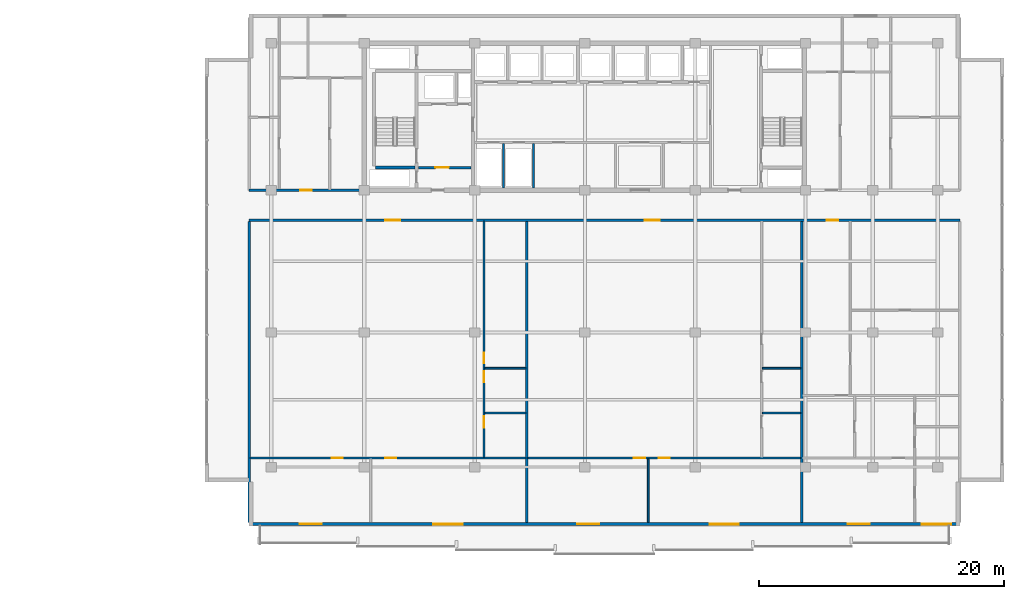
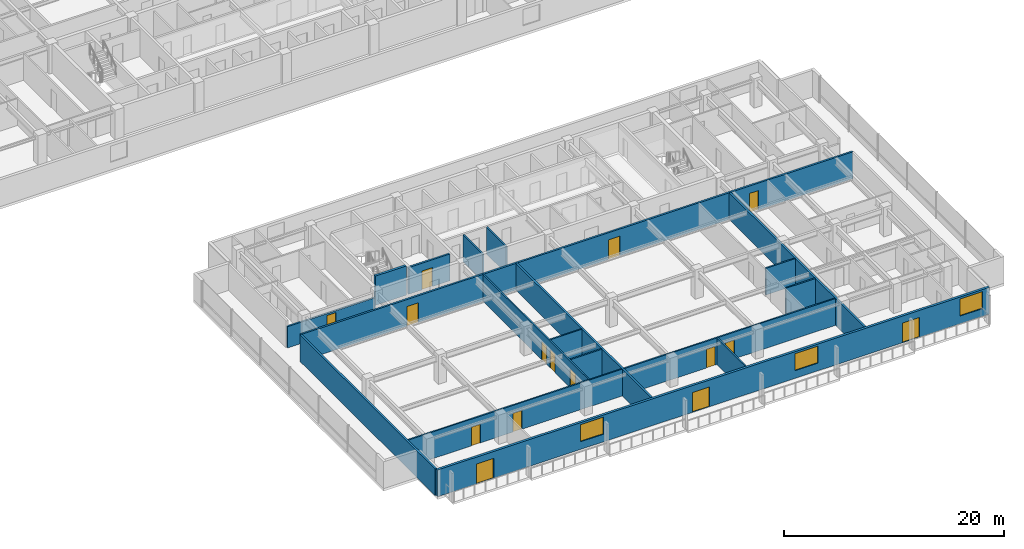
# One storey, part 21 of 38: 18 walls, 15 doors, 3 windows, 18 openings.
"""IFC4 building model written with IfcOpenShell, lengths in metres."""

import ifcopenshell
import ifcopenshell.guid

model = None  # the IFC model being written
_history = None  # IfcOwnerHistory: only IFC2X3 demands one
_inside = {}  # id of a spatial element -> (the spatial element, [elements in it])
_under = {}  # id of a project, library or spatial element -> (it, [spatial elements below it])
_declared = {}  # id of a project -> (the project, [libraries it declares])
_typed = {}  # id of a type object -> (the type object, [elements of that type])
_made_of = {}  # id of a material, layer set ... -> (it, [elements and type objects made of it])


def new_model(schema):
    """Start an empty IFC model of exactly this schema.

    Asked for "IFC4X3", IfcOpenShell would pick the latest addendum, in which some entities
    have other attributes; the version numbers below select the first issue.
    IFC2X3 requires an IfcOwnerHistory on every rooted entity: one is made here for all.
    """
    global model, _history
    if schema == "IFC4X3":
        model = ifcopenshell.file(schema_version=(4, 3, 0, 0))
    else:
        model = ifcopenshell.file(schema=schema)
    _inside.clear()
    _under.clear()
    _declared.clear()
    _typed.clear()
    _made_of.clear()
    _history = None
    if model.schema == "IFC2X3":
        org = make("IfcOrganization", Name="unknown")
        user = make(
            "IfcPersonAndOrganization",
            ThePerson=make("IfcPerson", FamilyName="unknown"),
            TheOrganization=org,
        )
        app = make(
            "IfcApplication",
            ApplicationDeveloper=org,
            Version="unknown",
            ApplicationFullName="unknown",
            ApplicationIdentifier="unknown",
        )
        _history = make(
            "IfcOwnerHistory",
            OwningUser=user,
            OwningApplication=app,
            ChangeAction="ADDED",
            CreationDate=0,
        )
    return model


def make(cls, **values):
    """One entity of the class cls with the attributes given. An attribute that is None is left unset."""
    return model.create_entity(
        cls, **{name: value for name, value in values.items() if value is not None}
    )


def rooted(cls, **values):
    """An entity with a GlobalId (a new one), such as an element, a storey or a relation."""
    return make(cls, GlobalId=ifcopenshell.guid.new(), OwnerHistory=_history, **values)


def si_unit(unit_type, name, prefix=None):
    """IfcSIUnit, for example si_unit("LENGTHUNIT", "METRE", prefix="MILLI")."""
    return make("IfcSIUnit", UnitType=unit_type, Prefix=prefix, Name=name)


def assignment(units):
    """IfcUnitAssignment: the units of a project."""
    return None if units is None else make("IfcUnitAssignment", Units=units)


def point(xyz):
    """IfcCartesianPoint."""
    return None if xyz is None else make("IfcCartesianPoint", Coordinates=xyz)


def direction(xyz):
    """IfcDirection."""
    return None if xyz is None else make("IfcDirection", DirectionRatios=xyz)


def frame(location, z_axis=None, x_axis=None):
    """IfcAxis2Placement3D, a coordinate frame: its origin and axes. An axis left out is left unset."""
    return make(
        "IfcAxis2Placement3D",
        Location=point(location),
        Axis=direction(z_axis),
        RefDirection=direction(x_axis),
    )


def frame_2d(location, x_axis=None):
    """IfcAxis2Placement2D, a coordinate frame in the plane: its origin and x axis."""
    return make(
        "IfcAxis2Placement2D", Location=point(location), RefDirection=direction(x_axis)
    )


def origin():
    """The frame at (0, 0, 0) with its axes left unset."""
    return frame((0.0, 0.0, 0.0))


def place(relative_to, where):
    """IfcLocalPlacement: puts the frame where relative to a parent placement (None: the world)."""
    return make(
        "IfcLocalPlacement", PlacementRelTo=relative_to, RelativePlacement=where
    )


def context(
    kind, dimensions, precision=None, world=None, true_north=None, identifier=None
):
    """IfcGeometricRepresentationContext, for example the 3D "Model" context."""
    return make(
        "IfcGeometricRepresentationContext",
        ContextIdentifier=identifier,
        ContextType=kind,
        CoordinateSpaceDimension=dimensions,
        Precision=precision,
        WorldCoordinateSystem=world,
        TrueNorth=true_north,
    )


def subcontext(parent, identifier, kind, view, scale=None):
    """IfcGeometricRepresentationSubContext, for example "Body" below "Model"."""
    return make(
        "IfcGeometricRepresentationSubContext",
        ContextIdentifier=identifier,
        ContextType=kind,
        ParentContext=parent,
        TargetScale=scale,
        TargetView=view,
    )


def project(units=None, contexts=None):
    """IfcProject with its units and contexts."""
    return rooted(
        "IfcProject",
        Name="project",
        RepresentationContexts=contexts,
        UnitsInContext=assignment(units),
    )


def spatial(cls, under=None, at=None, **own):
    """A site, building, storey or space (cls), placed at a placement, below another one or the project."""
    s = rooted(cls, ObjectPlacement=at, **own)
    if under is not None:
        _under.setdefault(under.id(), (under, []))[1].append(s)
    return s


def profile(cls, at=None, kind="AREA", **sizes):
    """A parametric profile (cls). Its sizes go by their IFC names, for example OverallWidth=200.0."""
    return make(cls, ProfileType=kind, Position=at, **sizes)


def rectangle(**sizes):
    """IfcRectangleProfileDef."""
    return profile("IfcRectangleProfileDef", **sizes)


def extrude(swept, where, along, depth):
    """IfcExtrudedAreaSolid: the profile swept, set in the frame where, extruded along a direction by depth."""
    return make(
        "IfcExtrudedAreaSolid",
        SweptArea=swept,
        Position=where,
        ExtrudedDirection=direction(along),
        Depth=depth,
    )


def shape(context_of_items, identifier, shape_type, items):
    """IfcShapeRepresentation: the items that make up one representation, for example the "Body"."""
    return make(
        "IfcShapeRepresentation",
        ContextOfItems=context_of_items,
        RepresentationIdentifier=identifier,
        RepresentationType=shape_type,
        Items=items,
    )


def material(Name=None, Category=None):
    """IfcMaterial."""
    return make("IfcMaterial", Name=Name, Category=Category)


def layer(
    of_material, thickness, ventilated=None, Name=None, Category=None, Priority=None
):
    """IfcMaterialLayer: one layer of a wall or slab, of a material (None: an air gap)."""
    return make(
        "IfcMaterialLayer",
        Material=of_material,
        LayerThickness=thickness,
        IsVentilated=ventilated,
        Name=Name,
        Category=Category,
        Priority=Priority,
    )


def layer_set(layers, Name=None):
    """IfcMaterialLayerSet."""
    return make("IfcMaterialLayerSet", MaterialLayers=layers, LayerSetName=Name)


def made_of(thing, what):
    """Note that an element or type object is made of a material, layer set ...; save() writes the relation."""
    if what is not None:
        _made_of.setdefault(what.id(), (what, []))[1].append(thing)
    return thing


def type_object(cls, material=None, **own):
    """A type object (cls), such as IfcWallType, which elements share."""
    return made_of(rooted(cls, **own), material)


def element(
    cls,
    number,
    at=None,
    inside=None,
    cuts=None,
    type_object=None,
    material=None,
    context=None,
    identifier="Body",
    shape_type=None,
    held_by="IfcProductDefinitionShape",
    body=None,
    shapes=None,
    **own,
):
    """One element of the class cls, such as IfcWall. Its Tag is "e" and its number.

    at: its placement. inside: the storey or other place that contains it. cuts: it is an
    opening in that element (IfcRelVoidsElement). A single representation is given by context,
    identifier, shape_type and body (its items); several are given by shapes. held_by: the class
    of the entity that holds the representations. save() writes the other relations.
    """
    e = rooted(cls, Tag="e%d" % number, ObjectPlacement=at, **own)
    if body is not None:
        shapes = [shape(context, identifier, shape_type, body)]
    if shapes is not None:
        e.Representation = make(held_by, Representations=shapes)
    if inside is not None:
        _inside.setdefault(inside.id(), (inside, []))[1].append(e)
    if cuts is not None:
        rooted(
            "IfcRelVoidsElement", RelatingBuildingElement=cuts, RelatedOpeningElement=e
        )
    if type_object is not None:
        _typed.setdefault(type_object.id(), (type_object, []))[1].append(e)
    return made_of(e, material)


def fill(opening, filler):
    """IfcRelFillsElement: the door or window that sits in an opening."""
    return rooted(
        "IfcRelFillsElement",
        RelatingOpeningElement=opening,
        RelatedBuildingElement=filler,
    )


def aggregate(whole, parts):
    """IfcRelAggregates: a whole, such as a stair, and the parts it consists of."""
    return rooted("IfcRelAggregates", RelatingObject=whole, RelatedObjects=parts)


def save(model, path):
    """Write the relations noted so far, then the file.

    IfcRelAggregates (storeys below a building ...), IfcRelContainedInSpatialStructure (elements
    in a storey), IfcRelDefinesByType, IfcRelAssociatesMaterial and IfcRelDeclares: one each for
    every whole, place, type object, material and project.
    """
    for whole, parts in _under.values():
        aggregate(whole, parts)
    for where, things in _inside.values():
        rooted(
            "IfcRelContainedInSpatialStructure",
            RelatedElements=things,
            RelatingStructure=where,
        )
    for kind, things in _typed.values():
        rooted("IfcRelDefinesByType", RelatedObjects=things, RelatingType=kind)
    for what, things in _made_of.values():
        rooted("IfcRelAssociatesMaterial", RelatedObjects=things, RelatingMaterial=what)
    for by, libraries in _declared.values():
        rooted("IfcRelDeclares", RelatingContext=by, RelatedDefinitions=libraries)
    model.write(path)


model = new_model("IFC4")

# Units and contexts
model_context = context("Model", 3, precision=1e-05, world=origin(), true_north=direction((0.0, 1.0)))
body_context = subcontext(model_context, "Body", "Model", "MODEL_VIEW")
ifc_project = project(units=[si_unit("LENGTHUNIT", "METRE"), si_unit("AREAUNIT", "SQUARE_METRE"), si_unit("VOLUMEUNIT", "CUBIC_METRE"), si_unit("PLANEANGLEUNIT", "RADIAN"), si_unit("MASSUNIT", "GRAM", prefix="KILO")], contexts=[model_context])

# Site, building, storey
site_placement = place(None, origin())
site = spatial("IfcSite", under=ifc_project, at=site_placement, CompositionType="ELEMENT")
building_placement = place(site_placement, origin())
building = spatial("IfcBuilding", under=site, at=building_placement, Name="Korimba Cascade Residences", CompositionType="ELEMENT")
storey_placement = place(building_placement, frame((0.0, 0.0, 93.800048828125)))
storey = spatial("IfcBuildingStorey", under=building, at=storey_placement, Name="L26", CompositionType="ELEMENT", Elevation=93.800048828125)

# Wall, openings, doors, windows
ifc_material_1 = material(Name="Precast concrete C40/50", Category="concrete")
ifc_layer_1 = layer(ifc_material_1, 0.25)
ifc_layer_set_1 = layer_set([ifc_layer_1], Name="Precast concrete C40/50")
wall_type_1 = type_object("IfcWallType", Name="EW-LOG-250", PredefinedType="STANDARD", material=ifc_layer_set_1)
wall_1_placement = place(storey_placement, frame((72.699951171875, -8.85009765625, 0.0), z_axis=(0.0, 0.0, 1.0), x_axis=(1.0, 0.0, 0.0)))
wall_1 = element("IfcWall", 1, at=wall_1_placement, inside=storey, type_object=wall_type_1, Name="L26 T2 Perimeter Stone Wall E00", PredefinedType="STANDARD", context=body_context, shape_type="SweptSolid", body=[
    extrude(rectangle(XDim=58.0, YDim=0.25, at=frame_2d((29.0, 0.0))), origin(), (0.0, 0.0, 1.0), 2.969970703125),
])
opening_1_placement = place(wall_1_placement, frame((4.1171875, 0.0, 0.0)))
opening_1 = element("IfcOpeningElement", 2, at=opening_1_placement, cuts=wall_1, Name="Opening D-LG1", PredefinedType="OPENING", context=body_context, shape_type="SweptSolid", body=[
    extrude(rectangle(XDim=1.800048828125, YDim=2.199951171875, at=frame_2d((0.89990234375, 1.10009765625))), frame((0.0, 0.135009765625, 0.0), z_axis=(0.0, -1.0, 0.0), x_axis=(1.0, 0.0, 0.0)), (0.0, 0.0, 1.0), 0.27001953125),
])
opening_2_placement = place(wall_1_placement, frame((15.03173828125, 0.0, 0.85009765625)))
opening_2 = element("IfcOpeningElement", 3, at=opening_2_placement, cuts=wall_1, Name="Opening W-01", PredefinedType="OPENING", context=body_context, shape_type="SweptSolid", body=[
    extrude(rectangle(XDim=2.39990234375, YDim=1.89990234375, at=frame_2d((1.199951171875, 0.949951171875))), frame((0.0, 0.135009765625, 0.0), z_axis=(0.0, -1.0, 0.0), x_axis=(1.0, 0.0, 0.0)), (0.0, 0.0, 1.0), 0.27001953125),
])
opening_3_placement = place(wall_1_placement, frame((26.78125, 0.0, 0.0)))
opening_3 = element("IfcOpeningElement", 4, at=opening_3_placement, cuts=wall_1, Name="Opening D-LG1", PredefinedType="OPENING", context=body_context, shape_type="SweptSolid", body=[
    extrude(rectangle(XDim=1.800048828125, YDim=2.199951171875, at=frame_2d((0.89990234375, 1.10009765625))), frame((0.0, 0.135009765625, 0.0), z_axis=(0.0, -1.0, 0.0), x_axis=(1.0, 0.0, 0.0)), (0.0, 0.0, 1.0), 0.27001953125),
])
opening_4_placement = place(wall_1_placement, frame((37.571044921875, 0.0, 0.85009765625)))
opening_4 = element("IfcOpeningElement", 5, at=opening_4_placement, cuts=wall_1, Name="Opening W-01", PredefinedType="OPENING", context=body_context, shape_type="SweptSolid", body=[
    extrude(rectangle(XDim=2.39990234375, YDim=1.89990234375, at=frame_2d((1.199951171875, 0.949951171875))), frame((0.0, 0.135009765625, 0.0), z_axis=(0.0, -1.0, 0.0), x_axis=(1.0, 0.0, 0.0)), (0.0, 0.0, 1.0), 0.27001953125),
])
opening_5_placement = place(wall_1_placement, frame((48.8642578125, 0.0, 0.0)))
opening_5 = element("IfcOpeningElement", 6, at=opening_5_placement, cuts=wall_1, Name="Opening D-LG1", PredefinedType="OPENING", context=body_context, shape_type="SweptSolid", body=[
    extrude(rectangle(XDim=1.800048828125, YDim=2.199951171875, at=frame_2d((0.89990234375, 1.10009765625))), frame((0.0, 0.135009765625, 0.0), z_axis=(0.0, -1.0, 0.0), x_axis=(1.0, 0.0, 0.0)), (0.0, 0.0, 1.0), 0.27001953125),
])
opening_6_placement = place(wall_1_placement, frame((54.89990234375, 0.0, 0.85009765625)))
opening_6 = element("IfcOpeningElement", 7, at=opening_6_placement, cuts=wall_1, Name="Opening W-01", PredefinedType="OPENING", context=body_context, shape_type="SweptSolid", body=[
    extrude(rectangle(XDim=2.39990234375, YDim=1.89990234375, at=frame_2d((1.199951171875, 0.949951171875))), frame((0.0, 0.135009765625, 0.0), z_axis=(0.0, -1.0, 0.0), x_axis=(1.0, 0.0, 0.0)), (0.0, 0.0, 1.0), 0.27001953125),
])
ifc_material_2 = material(Name="Glazed Aluminium Loggia Sliding Door", Category="aluminium")
door_type_1 = type_object("IfcDoorType", Name="DR-EXT-LOG", OperationType="NOTDEFINED", PredefinedType="DOOR", material=ifc_material_2)
door_1_placement = place(opening_1_placement, origin())
door_1 = element("IfcDoor", 8, at=door_1_placement, inside=storey, type_object=door_type_1, Name="L26 T2 Loggia Sliding Door 3", OperationType="SLIDING_TO_RIGHT", OverallHeight=2.199951171875, OverallWidth=1.800048828125, PredefinedType="DOOR", context=body_context, shape_type="SweptSolid", body=[
    extrude(rectangle(XDim=1.800048828125, YDim=2.199951171875, at=frame_2d((0.89990234375, 1.10009765625))), frame((0.0, 0.02490234375, 0.0), z_axis=(0.0, -1.0, 0.0), x_axis=(1.0, 0.0, 0.0)), (0.0, 0.0, 1.0), 0.050048828125),
])
fill(opening_1, door_1)
door_2_placement = place(opening_3_placement, origin())
door_2 = element("IfcDoor", 9, at=door_2_placement, inside=storey, type_object=door_type_1, Name="L26 T2 Loggia Sliding Door 5", OperationType="SLIDING_TO_RIGHT", OverallHeight=2.199951171875, OverallWidth=1.800048828125, PredefinedType="DOOR", context=body_context, shape_type="SweptSolid", body=[
    extrude(rectangle(XDim=1.800048828125, YDim=2.199951171875, at=frame_2d((0.89990234375, 1.10009765625))), frame((0.0, 0.02490234375, 0.0), z_axis=(0.0, -1.0, 0.0), x_axis=(1.0, 0.0, 0.0)), (0.0, 0.0, 1.0), 0.050048828125),
])
fill(opening_3, door_2)
door_3_placement = place(opening_5_placement, origin())
door_3 = element("IfcDoor", 10, at=door_3_placement, inside=storey, type_object=door_type_1, Name="L26 T2 Loggia Sliding Door 7", OperationType="SLIDING_TO_RIGHT", OverallHeight=2.199951171875, OverallWidth=1.800048828125, PredefinedType="DOOR", context=body_context, shape_type="SweptSolid", body=[
    extrude(rectangle(XDim=1.800048828125, YDim=2.199951171875, at=frame_2d((0.89990234375, 1.10009765625))), frame((0.0, 0.02490234375, 0.0), z_axis=(0.0, -1.0, 0.0), x_axis=(1.0, 0.0, 0.0)), (0.0, 0.0, 1.0), 0.050048828125),
])
fill(opening_5, door_3)
ifc_material_3 = material(Name="Double-Glazed Aluminium Window", Category="aluminium")
window_type = type_object("IfcWindowType", Name="WIN-RES-2400", PartitioningType="DOUBLE_PANEL_VERTICAL", PredefinedType="WINDOW", material=ifc_material_3)
window_1_placement = place(opening_2_placement, origin())
window_1 = element("IfcWindow", 11, at=window_1_placement, inside=storey, type_object=window_type, Name="L26 T2 South Facade Window 4", OverallHeight=1.89990234375, OverallWidth=2.39990234375, PartitioningType="DOUBLE_PANEL_VERTICAL", PredefinedType="WINDOW", context=body_context, shape_type="SweptSolid", body=[
    extrude(rectangle(XDim=2.39990234375, YDim=1.89990234375, at=frame_2d((1.199951171875, 0.949951171875))), frame((0.0, 0.030029296875, 0.0), z_axis=(0.0, -1.0, 0.0), x_axis=(1.0, 0.0, 0.0)), (0.0, 0.0, 1.0), 0.06005859375),
])
fill(opening_2, window_1)
window_2_placement = place(opening_4_placement, origin())
window_2 = element("IfcWindow", 12, at=window_2_placement, inside=storey, type_object=window_type, Name="L26 T2 South Facade Window 6", OverallHeight=1.89990234375, OverallWidth=2.39990234375, PartitioningType="DOUBLE_PANEL_VERTICAL", PredefinedType="WINDOW", context=body_context, shape_type="SweptSolid", body=[
    extrude(rectangle(XDim=2.39990234375, YDim=1.89990234375, at=frame_2d((1.199951171875, 0.949951171875))), frame((0.0, 0.030029296875, 0.0), z_axis=(0.0, -1.0, 0.0), x_axis=(1.0, 0.0, 0.0)), (0.0, 0.0, 1.0), 0.06005859375),
])
fill(opening_4, window_2)
window_3_placement = place(opening_6_placement, origin())
window_3 = element("IfcWindow", 13, at=window_3_placement, inside=storey, type_object=window_type, Name="L26 T2 South Facade Window 8", OverallHeight=1.89990234375, OverallWidth=2.39990234375, PartitioningType="DOUBLE_PANEL_VERTICAL", PredefinedType="WINDOW", context=body_context, shape_type="SweptSolid", body=[
    extrude(rectangle(XDim=2.39990234375, YDim=1.89990234375, at=frame_2d((1.199951171875, 0.949951171875))), frame((0.0, 0.030029296875, 0.0), z_axis=(0.0, -1.0, 0.0), x_axis=(1.0, 0.0, 0.0)), (0.0, 0.0, 1.0), 0.06005859375),
])
fill(opening_6, window_3)

# Wall, opening, door
ifc_layer_2 = layer(ifc_material_1, 0.199951171875)
ifc_layer_set_2 = layer_set([ifc_layer_2], Name="Precast concrete C40/50")
wall_type_2 = type_object("IfcWallType", Name="WAL-IT-200", PredefinedType="PARTITIONING", material=ifc_layer_set_2)
wall_2_placement = place(storey_placement, frame((72.699951171875, 18.39990234375, 0.0), z_axis=(0.0, 0.0, 1.0), x_axis=(1.0, 0.0, 0.0)))
wall_2 = element("IfcWall", 14, at=wall_2_placement, inside=storey, type_object=wall_type_2, Name="L26 Partition Wall WAL-L26-T2-FW-S", PredefinedType="PARTITIONING", context=body_context, shape_type="SweptSolid", body=[
    extrude(rectangle(XDim=9.25, YDim=0.199951171875, at=frame_2d((4.625, 0.0))), origin(), (0.0, 0.0, 1.0), 2.357666015625),
])
opening_7_placement = place(wall_2_placement, frame((4.14990234375, 0.0, 0.0)))
opening_7 = element("IfcOpeningElement", 15, at=opening_7_placement, cuts=wall_2, Name="Opening D-UN1", PredefinedType="OPENING", context=body_context, shape_type="SweptSolid", body=[
    extrude(rectangle(XDim=0.949951171875, YDim=2.14990234375, at=frame_2d((0.47509765625, 1.074951171875))), frame((0.0, 0.10986328125, 0.0), z_axis=(0.0, -1.0, 0.0), x_axis=(1.0, 0.0, 0.0)), (0.0, 0.0, 1.0), 0.219970703125),
])
ifc_material_4 = material(Name="Fire-Rated Hardwood Apartment Entrance Door", Category="wood")
door_type_2 = type_object("IfcDoorType", Name="DR-FD60-950", OperationType="NOTDEFINED", PredefinedType="DOOR", material=ifc_material_4)
door_4_placement = place(opening_7_placement, origin())
door_4 = element("IfcDoor", 16, at=door_4_placement, inside=storey, type_object=door_type_2, Name="L26-T2-FW Entrance Door", OperationType="SINGLE_SWING_RIGHT", OverallHeight=2.14990234375, OverallWidth=0.949951171875, PredefinedType="DOOR", context=body_context, shape_type="SweptSolid", body=[
    extrude(rectangle(XDim=0.949951171875, YDim=2.14990234375, at=frame_2d((0.47509765625, 1.074951171875))), frame((0.0, 0.02490234375, 0.0), z_axis=(0.0, -1.0, 0.0), x_axis=(1.0, 0.0, 0.0)), (0.0, 0.0, 1.0), 0.050048828125),
])
fill(opening_7, door_4)

# Walls
for number, where, z_axis, x_axis, name in (
    (17, (72.699951171875, -8.699951171875, 0.0), (0.0, 0.0, 1.0), (0.0, 1.0, 0.0), "L26 Partition Wall WAL-L26-T2-BNDWL"),
    (18, (95.368896484375, -8.699951171875, 0.0), (0.0, 0.0, 1.0), (0.0, 1.0, 0.0), "L26 Partition Wall WAL-L26-T2-DEM-1"),
    (19, (117.78857421875, -8.699951171875, 0.0), (0.0, 0.0, 1.0), (0.0, 1.0, 0.0), "L26 Partition Wall WAL-L26-T2-DEM-2"),
):
    element("IfcWall", number, at=place(storey_placement, frame(where, z_axis=z_axis, x_axis=x_axis)), inside=storey, type_object=wall_type_2, Name=name, PredefinedType="PARTITIONING", context=body_context, shape_type="SweptSolid", body=[
        extrude(rectangle(XDim=24.570068359375, YDim=0.199951171875, at=frame_2d((12.28515625, 0.0))), origin(), (0.0, 0.0, 1.0), 2.969970703125),
    ])

# Wall, openings, doors
wall_3_placement = place(storey_placement, frame((72.699951171875, 15.949951171875, 0.0), z_axis=(0.0, 0.0, 1.0), x_axis=(1.0, 0.0, 0.0)))
wall_3 = element("IfcWall", 20, at=wall_3_placement, inside=storey, type_object=wall_type_2, Name="L26 Partition Wall WAL-L26-T2-CORS", PredefinedType="PARTITIONING", context=body_context, shape_type="SweptSolid", body=[
    extrude(rectangle(XDim=58.0, YDim=0.199951171875, at=frame_2d((29.0, 0.0))), origin(), (0.0, 0.0, 1.0), 2.969970703125),
])
opening_8_placement = place(wall_3_placement, frame((11.114013671875, 0.0, 0.0)))
opening_8 = element("IfcOpeningElement", 21, at=opening_8_placement, cuts=wall_3, Name="Opening D-AM1", PredefinedType="OPENING", context=body_context, shape_type="SweptSolid", body=[
    extrude(rectangle(XDim=1.219970703125, YDim=2.179931640625, at=frame_2d((0.60986328125, 1.08984375))), frame((0.0, 0.10986328125, 0.0), z_axis=(0.0, -1.0, 0.0), x_axis=(1.0, 0.0, 0.0)), (0.0, 0.0, 1.0), 0.219970703125),
])
opening_9_placement = place(wall_3_placement, frame((32.3037109375, 0.0, 0.0)))
opening_9 = element("IfcOpeningElement", 22, at=opening_9_placement, cuts=wall_3, Name="Opening D-AM1", PredefinedType="OPENING", context=body_context, shape_type="SweptSolid", body=[
    extrude(rectangle(XDim=1.219970703125, YDim=2.179931640625, at=frame_2d((0.60986328125, 1.08984375))), frame((0.0, 0.10986328125, 0.0), z_axis=(0.0, -1.0, 0.0), x_axis=(1.0, 0.0, 0.0)), (0.0, 0.0, 1.0), 0.219970703125),
])
opening_10_placement = place(wall_3_placement, frame((47.133544921875, 0.0, 0.0)))
opening_10 = element("IfcOpeningElement", 23, at=opening_10_placement, cuts=wall_3, Name="Opening D-UN1", PredefinedType="OPENING", context=body_context, shape_type="SweptSolid", body=[
    extrude(rectangle(XDim=0.949951171875, YDim=2.14990234375, at=frame_2d((0.47509765625, 1.074951171875))), frame((0.0, 0.10986328125, 0.0), z_axis=(0.0, -1.0, 0.0), x_axis=(1.0, 0.0, 0.0)), (0.0, 0.0, 1.0), 0.219970703125),
])
ifc_material_5 = material(Name="Fire-Rated Glazed Timber Suite Door", Category="wood")
door_type_3 = type_object("IfcDoorType", Name="DR-FD60-1200", OperationType="NOTDEFINED", PredefinedType="DOOR", material=ifc_material_5)
door_5_placement = place(opening_8_placement, origin())
door_5 = element("IfcDoor", 24, at=door_5_placement, inside=storey, type_object=door_type_3, Name="L26-T2-U01 Transfer Reception Foyer Door", OperationType="SINGLE_SWING_LEFT", OverallHeight=2.179931640625, OverallWidth=1.219970703125, PredefinedType="DOOR", context=body_context, shape_type="SweptSolid", body=[
    extrude(rectangle(XDim=1.219970703125, YDim=2.179931640625, at=frame_2d((0.60986328125, 1.08984375))), frame((0.0, 0.02490234375, 0.0), z_axis=(0.0, -1.0, 0.0), x_axis=(1.0, 0.0, 0.0)), (0.0, 0.0, 1.0), 0.050048828125),
])
fill(opening_8, door_5)
door_6_placement = place(opening_9_placement, origin())
door_6 = element("IfcDoor", 25, at=door_6_placement, inside=storey, type_object=door_type_3, Name="L26-T2-U02 Transfer Reception Foyer Door", OperationType="SINGLE_SWING_RIGHT", OverallHeight=2.179931640625, OverallWidth=1.219970703125, PredefinedType="DOOR", context=body_context, shape_type="SweptSolid", body=[
    extrude(rectangle(XDim=1.219970703125, YDim=2.179931640625, at=frame_2d((0.60986328125, 1.08984375))), frame((0.0, 0.02490234375, 0.0), z_axis=(0.0, -1.0, 0.0), x_axis=(1.0, 0.0, 0.0)), (0.0, 0.0, 1.0), 0.050048828125),
])
fill(opening_9, door_6)
door_7_placement = place(opening_10_placement, origin())
door_7 = element("IfcDoor", 26, at=door_7_placement, inside=storey, type_object=door_type_2, Name="Unit L26-T2-U03 Entrance Door", OperationType="SINGLE_SWING_LEFT", OverallHeight=2.14990234375, OverallWidth=0.949951171875, PredefinedType="DOOR", context=body_context, shape_type="SweptSolid", body=[
    extrude(rectangle(XDim=0.949951171875, YDim=2.14990234375, at=frame_2d((0.47509765625, 1.074951171875))), frame((0.0, 0.02490234375, 0.0), z_axis=(0.0, -1.0, 0.0), x_axis=(1.0, 0.0, 0.0)), (0.0, 0.0, 1.0), 0.050048828125),
])
fill(opening_10, door_7)

# Walls
ifc_material_6 = material(Name="Insulated Acoustic Stud Partition", Category="gypsum")
ifc_layer_3 = layer(ifc_material_6, 0.14990234375)
ifc_layer_set_3 = layer_set([ifc_layer_3], Name="Insulated Acoustic Stud Partition")
wall_type_3 = type_object("IfcWallType", Name="WAL-PART-150", PredefinedType="PARTITIONING", material=ifc_layer_set_3)
for number, where, z_axis, x_axis, name in (
    (27, (93.449951171875, 18.60009765625, 0.0), (0.0, 0.0, 1.0), (0.0, 1.0, 0.0), "L26 Partition Wall CW-L26-T2-ERDIV"),
    (28, (95.89990234375, 18.60009765625, 0.0), (0.0, 0.0, 1.0), (0.0, 1.0, 0.0), "L26 Partition Wall CW-L26-T2-PRDIV"),
):
    element("IfcWall", number, at=place(storey_placement, frame(where, z_axis=z_axis, x_axis=x_axis)), inside=storey, type_object=wall_type_3, Name=name, PredefinedType="PARTITIONING", context=body_context, shape_type="SweptSolid", body=[
        extrude(rectangle(XDim=3.599853515625, YDim=0.14990234375, at=frame_2d((1.7998046875, 0.0))), origin(), (0.0, 0.0, 1.0), 2.969970703125),
    ])
for number, where, z_axis, x_axis, name in (
    (29, (91.928955078125, 0.219970703125, 0.0), (0.0, 0.0, 1.0), (1.0, 0.0, 0.0), "L26 Partition Wall WAL-L26-T2-U01-WCH"),
    (30, (91.928955078125, 3.8701171875, 0.0), (0.0, 0.0, 1.0), (1.0, 0.0, 0.0), "L26 Partition Wall WAL-L26-T2-U01-WCH2"),
):
    element("IfcWall", number, at=place(storey_placement, frame(where, z_axis=z_axis, x_axis=x_axis)), inside=storey, type_object=wall_type_3, Name=name, PredefinedType="PARTITIONING", context=body_context, shape_type="SweptSolid", body=[
        extrude(rectangle(XDim=3.35986328125, YDim=0.14990234375, at=frame_2d((1.679931640625, 0.0))), origin(), (0.0, 0.0, 1.0), 2.969970703125),
    ])

# Wall, openings, doors
wall_4_placement = place(storey_placement, frame((91.868896484375, -3.389892578125, 0.0), z_axis=(0.0, 0.0, 1.0), x_axis=(0.0, 1.0, 0.0)))
wall_4 = element("IfcWall", 31, at=wall_4_placement, inside=storey, type_object=wall_type_3, Name="L26 Partition Wall WAL-L26-T2-U01-WCV", PredefinedType="PARTITIONING", context=body_context, shape_type="SweptSolid", body=[
    extrude(rectangle(XDim=19.27978515625, YDim=0.14990234375, at=frame_2d((9.639892578125, 0.0))), origin(), (0.0, 0.0, 1.0), 2.969970703125),
])
opening_11_placement = place(wall_4_placement, frame((2.406005859375, 0.0, 0.0)))
opening_11 = element("IfcOpeningElement", 32, at=opening_11_placement, cuts=wall_4, Name="Opening D-AC1", PredefinedType="OPENING", context=body_context, shape_type="SweptSolid", body=[
    extrude(rectangle(XDim=0.9599609375, YDim=2.10009765625, at=frame_2d((0.47998046875, 1.050048828125))), frame((0.0, 0.0849609375, 0.0), z_axis=(0.0, -1.0, 0.0), x_axis=(1.0, 0.0, 0.0)), (0.0, 0.0, 1.0), 0.169921875),
])
opening_12_placement = place(wall_4_placement, frame((6.132568359375, 0.0, 0.0)))
opening_12 = element("IfcOpeningElement", 33, at=opening_12_placement, cuts=wall_4, Name="Opening D-IN2", PredefinedType="OPENING", context=body_context, shape_type="SweptSolid", body=[
    extrude(rectangle(XDim=0.8798828125, YDim=2.06005859375, at=frame_2d((0.43994140625, 1.030029296875))), frame((0.0, 0.0849609375, 0.0), z_axis=(0.0, -1.0, 0.0), x_axis=(1.0, 0.0, 0.0)), (0.0, 0.0, 1.0), 0.169921875),
])
opening_13_placement = place(wall_4_placement, frame((7.67431640625, 0.0, 0.0)))
opening_13 = element("IfcOpeningElement", 34, at=opening_13_placement, cuts=wall_4, Name="Opening D-BT1", PredefinedType="OPENING", context=body_context, shape_type="SweptSolid", body=[
    extrude(rectangle(XDim=0.840087890625, YDim=2.0400390625, at=frame_2d((0.419921875, 1.02001953125))), frame((0.0, 0.0849609375, 0.0), z_axis=(0.0, -1.0, 0.0), x_axis=(1.0, 0.0, 0.0)), (0.0, 0.0, 1.0), 0.169921875),
])
ifc_material_7 = material(Name="Accessible Acoustic Timber WC Door", Category="wood")
door_type_4 = type_object("IfcDoorType", Name="DR-ACC-950", OperationType="NOTDEFINED", PredefinedType="DOOR", material=ifc_material_7)
door_8_placement = place(opening_11_placement, origin())
door_8 = element("IfcDoor", 35, at=door_8_placement, inside=storey, type_object=door_type_4, Name="L26-T2-U01 Accessible WC Door", OperationType="SINGLE_SWING_LEFT", OverallHeight=2.10009765625, OverallWidth=0.9599609375, PredefinedType="DOOR", context=body_context, shape_type="SweptSolid", body=[
    extrude(rectangle(XDim=0.9599609375, YDim=2.10009765625, at=frame_2d((0.47998046875, 1.050048828125))), frame((0.0, 0.02490234375, 0.0), z_axis=(0.0, -1.0, 0.0), x_axis=(1.0, 0.0, 0.0)), (0.0, 0.0, 1.0), 0.050048828125),
])
fill(opening_11, door_8)
ifc_material_8 = material(Name="Moisture-Resistant Bathroom Timber Door", Category="wood")
door_type_5 = type_object("IfcDoorType", Name="DR-INT-850", OperationType="NOTDEFINED", PredefinedType="DOOR", material=ifc_material_8)
door_9_placement = place(opening_13_placement, origin())
door_9 = element("IfcDoor", 36, at=door_9_placement, inside=storey, type_object=door_type_5, Name="L26-T2-U01 Suite Store Door", OperationType="SINGLE_SWING_LEFT", OverallHeight=2.0400390625, OverallWidth=0.840087890625, PredefinedType="DOOR", context=body_context, shape_type="SweptSolid", body=[
    extrude(rectangle(XDim=0.840087890625, YDim=2.0400390625, at=frame_2d((0.419921875, 1.02001953125))), frame((0.0, 0.02490234375, 0.0), z_axis=(0.0, -1.0, 0.0), x_axis=(1.0, 0.0, 0.0)), (0.0, 0.0, 1.0), 0.050048828125),
])
fill(opening_13, door_9)
ifc_material_9 = material(Name="Acoustic Timber Bedroom Door", Category="wood")
door_type_6 = type_object("IfcDoorType", Name="DR-INT-880", OperationType="NOTDEFINED", PredefinedType="DOOR", material=ifc_material_9)
door_10_placement = place(opening_12_placement, origin())
door_10 = element("IfcDoor", 37, at=door_10_placement, inside=storey, type_object=door_type_6, Name="L26-T2-U01 Restroom WC Door", OperationType="SINGLE_SWING_RIGHT", OverallHeight=2.06005859375, OverallWidth=0.8798828125, PredefinedType="DOOR", context=body_context, shape_type="SweptSolid", body=[
    extrude(rectangle(XDim=0.8798828125, YDim=2.06005859375, at=frame_2d((0.43994140625, 1.030029296875))), frame((0.0, 0.02490234375, 0.0), z_axis=(0.0, -1.0, 0.0), x_axis=(1.0, 0.0, 0.0)), (0.0, 0.0, 1.0), 0.050048828125),
])
fill(opening_12, door_10)

wall_5_placement = place(storey_placement, frame((72.780029296875, -3.449951171875, 0.0), z_axis=(0.0, 0.0, 1.0), x_axis=(1.0, 0.0, 0.0)))
wall_5 = element("IfcWall", 38, at=wall_5_placement, inside=storey, type_object=wall_type_3, Name="L26 Partition Wall WAL-L26-T2-U01-HZ", PredefinedType="PARTITIONING", context=body_context, shape_type="SweptSolid", body=[
    extrude(rectangle(XDim=22.5087890625, YDim=0.14990234375, at=frame_2d((11.25439453125, 0.0))), origin(), (0.0, 0.0, 1.0), 2.969970703125),
])
opening_14_placement = place(wall_5_placement, frame((6.64501953125, 0.0, 0.0)))
opening_14 = element("IfcOpeningElement", 39, at=opening_14_placement, cuts=wall_5, Name="Opening D-ST1", PredefinedType="OPENING", context=body_context, shape_type="SweptSolid", body=[
    extrude(rectangle(XDim=0.919921875, YDim=2.080078125, at=frame_2d((0.4599609375, 1.0400390625))), frame((0.0, 0.0849609375, 0.0), z_axis=(0.0, -1.0, 0.0), x_axis=(1.0, 0.0, 0.0)), (0.0, 0.0, 1.0), 0.169921875),
])
opening_15_placement = place(wall_5_placement, frame((11.0244140625, 0.0, 0.0)))
opening_15 = element("IfcOpeningElement", 40, at=opening_15_placement, cuts=wall_5, Name="Opening D-ST1", PredefinedType="OPENING", context=body_context, shape_type="SweptSolid", body=[
    extrude(rectangle(XDim=0.919921875, YDim=2.080078125, at=frame_2d((0.4599609375, 1.0400390625))), frame((0.0, 0.0849609375, 0.0), z_axis=(0.0, -1.0, 0.0), x_axis=(1.0, 0.0, 0.0)), (0.0, 0.0, 1.0), 0.169921875),
])
ifc_material_10 = material(Name="Fire-Rated Core Store Door", Category="wood")
door_type_7 = type_object("IfcDoorType", Name="DR-FD60-920", OperationType="NOTDEFINED", PredefinedType="DOOR", material=ifc_material_10)
door_11_placement = place(opening_14_placement, origin())
door_11 = element("IfcDoor", 41, at=door_11_placement, inside=storey, type_object=door_type_7, Name="L26-T2-U01 Sky Lobby Concierge Door", OperationType="SINGLE_SWING_RIGHT", OverallHeight=2.080078125, OverallWidth=0.919921875, PredefinedType="DOOR", context=body_context, shape_type="SweptSolid", body=[
    extrude(rectangle(XDim=0.919921875, YDim=2.080078125, at=frame_2d((0.4599609375, 1.0400390625))), frame((0.0, 0.02490234375, 0.0), z_axis=(0.0, -1.0, 0.0), x_axis=(1.0, 0.0, 0.0)), (0.0, 0.0, 1.0), 0.050048828125),
])
fill(opening_14, door_11)
door_12_placement = place(opening_15_placement, origin())
door_12 = element("IfcDoor", 42, at=door_12_placement, inside=storey, type_object=door_type_7, Name="L26-T2-U01 Horizon Observation Atrium Door", OperationType="SINGLE_SWING_LEFT", OverallHeight=2.080078125, OverallWidth=0.919921875, PredefinedType="DOOR", context=body_context, shape_type="SweptSolid", body=[
    extrude(rectangle(XDim=0.919921875, YDim=2.080078125, at=frame_2d((0.4599609375, 1.0400390625))), frame((0.0, 0.02490234375, 0.0), z_axis=(0.0, -1.0, 0.0), x_axis=(1.0, 0.0, 0.0)), (0.0, 0.0, 1.0), 0.050048828125),
])
fill(opening_15, door_12)

# Walls
for number, where, z_axis, x_axis, name in (
    (43, (114.57861328125, 0.219970703125, 0.0), (0.0, 0.0, 1.0), (1.0, 0.0, 0.0), "L26 Partition Wall WAL-L26-T2-U02-WCH"),
    (44, (114.57861328125, 3.8701171875, 0.0), (0.0, 0.0, 1.0), (1.0, 0.0, 0.0), "L26 Partition Wall WAL-L26-T2-U02-WCH2"),
):
    element("IfcWall", number, at=place(storey_placement, frame(where, z_axis=z_axis, x_axis=x_axis)), inside=storey, type_object=wall_type_3, Name=name, PredefinedType="PARTITIONING", context=body_context, shape_type="SweptSolid", body=[
        extrude(rectangle(XDim=3.1298828125, YDim=0.14990234375, at=frame_2d((1.56494140625, 0.0))), origin(), (0.0, 0.0, 1.0), 2.969970703125),
    ])
wall_6_placement = place(storey_placement, frame((105.273681640625, -8.699951171875, 0.0), z_axis=(0.0, 0.0, 1.0), x_axis=(0.0, 1.0, 0.0)))
element("IfcWall", 45, at=wall_6_placement, inside=storey, type_object=wall_type_3, Name="L26 Partition Wall WAL-L26-T2-U02-OUTV", PredefinedType="PARTITIONING", context=body_context, shape_type="SweptSolid", body=[
    extrude(rectangle(XDim=5.169921875, YDim=0.14990234375, at=frame_2d((2.5849609375, 0.0))), origin(), (0.0, 0.0, 1.0), 2.969970703125),
])

# Wall, openings, doors
wall_7_placement = place(storey_placement, frame((95.448974609375, -3.449951171875, 0.0), z_axis=(0.0, 0.0, 1.0), x_axis=(1.0, 0.0, 0.0)))
wall_7 = element("IfcWall", 46, at=wall_7_placement, inside=storey, type_object=wall_type_3, Name="L26 Partition Wall WAL-L26-T2-U02-HZ", PredefinedType="PARTITIONING", context=body_context, shape_type="SweptSolid", body=[
    extrude(rectangle(XDim=22.259521484375, YDim=0.14990234375, at=frame_2d((11.1298828125, 0.0))), origin(), (0.0, 0.0, 1.0), 2.969970703125),
])
opening_16_placement = place(wall_7_placement, frame((8.65478515625, 0.0, 0.0)))
opening_16 = element("IfcOpeningElement", 47, at=opening_16_placement, cuts=wall_7, Name="Opening D-ST1", PredefinedType="OPENING", context=body_context, shape_type="SweptSolid", body=[
    extrude(rectangle(XDim=0.919921875, YDim=2.080078125, at=frame_2d((0.4599609375, 1.0400390625))), frame((0.0, 0.0849609375, 0.0), z_axis=(0.0, -1.0, 0.0), x_axis=(1.0, 0.0, 0.0)), (0.0, 0.0, 1.0), 0.169921875),
])
opening_17_placement = place(wall_7_placement, frame((10.669921875, 0.0, 0.0)))
opening_17 = element("IfcOpeningElement", 48, at=opening_17_placement, cuts=wall_7, Name="Opening D-ST1", PredefinedType="OPENING", context=body_context, shape_type="SweptSolid", body=[
    extrude(rectangle(XDim=0.919921875, YDim=2.080078125, at=frame_2d((0.4599609375, 1.0400390625))), frame((0.0, 0.0849609375, 0.0), z_axis=(0.0, -1.0, 0.0), x_axis=(1.0, 0.0, 0.0)), (0.0, 0.0, 1.0), 0.169921875),
])
door_13_placement = place(opening_16_placement, origin())
door_13 = element("IfcDoor", 49, at=door_13_placement, inside=storey, type_object=door_type_7, Name="L26-T2-U02 Sky Lobby Concierge Door", OperationType="SINGLE_SWING_LEFT", OverallHeight=2.080078125, OverallWidth=0.919921875, PredefinedType="DOOR", context=body_context, shape_type="SweptSolid", body=[
    extrude(rectangle(XDim=0.919921875, YDim=2.080078125, at=frame_2d((0.4599609375, 1.0400390625))), frame((0.0, 0.02490234375, 0.0), z_axis=(0.0, -1.0, 0.0), x_axis=(1.0, 0.0, 0.0)), (0.0, 0.0, 1.0), 0.050048828125),
])
fill(opening_16, door_13)
door_14_placement = place(opening_17_placement, origin())
door_14 = element("IfcDoor", 50, at=door_14_placement, inside=storey, type_object=door_type_7, Name="L26-T2-U02 Horizon Observation Atrium Door", OperationType="SINGLE_SWING_RIGHT", OverallHeight=2.080078125, OverallWidth=0.919921875, PredefinedType="DOOR", context=body_context, shape_type="SweptSolid", body=[
    extrude(rectangle(XDim=0.919921875, YDim=2.080078125, at=frame_2d((0.4599609375, 1.0400390625))), frame((0.0, 0.02490234375, 0.0), z_axis=(0.0, -1.0, 0.0), x_axis=(1.0, 0.0, 0.0)), (0.0, 0.0, 1.0), 0.050048828125),
])
fill(opening_17, door_14)

# Wall, opening, door
ifc_material_11 = material(Name="Concrete C40/50", Category="concrete")
ifc_layer_4 = layer(ifc_material_11, 0.199951171875)
ifc_layer_set_4 = layer_set([ifc_layer_4], Name="Concrete C40/50")
wall_type_4 = type_object("IfcWallType", Name="WAL-PART-200", PredefinedType="PARTITIONING", material=ifc_layer_set_4)
wall_8_placement = place(storey_placement, frame((86.5, 20.25, 0.0), z_axis=(0.0, 0.0, 1.0), x_axis=(1.0, 0.0, 0.0)))
wall_8 = element("IfcWall", 51, at=wall_8_placement, inside=storey, type_object=wall_type_4, Name="L26 Partition Wall CW-L26-T2-FFLS", PredefinedType="PARTITIONING", context=body_context, shape_type="SweptSolid", body=[
    extrude(rectangle(XDim=4.320068359375, YDim=0.199951171875, at=frame_2d((2.16015625, 0.0))), origin(), (0.0, 0.0, 1.0), 2.969970703125),
])
opening_18_placement = place(wall_8_placement, frame((1.39990234375, 0.0, 0.0)))
opening_18 = element("IfcOpeningElement", 52, at=opening_18_placement, cuts=wall_8, Name="Opening D-FD1", PredefinedType="OPENING", context=body_context, shape_type="SweptSolid", body=[
    extrude(rectangle(XDim=1.10009765625, YDim=2.10009765625, at=frame_2d((0.550048828125, 1.050048828125))), frame((0.0, 0.10986328125, 0.0), z_axis=(0.0, -1.0, 0.0), x_axis=(1.0, 0.0, 0.0)), (0.0, 0.0, 1.0), 0.219970703125),
])
ifc_material_12 = material(Name="Fire-Rated Steel Core Door", Category="steel")
door_type_8 = type_object("IfcDoorType", Name="DR-FD120-1100", OperationType="NOTDEFINED", PredefinedType="DOOR", material=ifc_material_12)
door_15_placement = place(opening_18_placement, origin())
door_15 = element("IfcDoor", 53, at=door_15_placement, inside=storey, type_object=door_type_8, Name="L26 T2 Firefighting Lobby Door", OperationType="SINGLE_SWING_RIGHT", OverallHeight=2.10009765625, OverallWidth=1.10009765625, PredefinedType="DOOR", context=body_context, shape_type="SweptSolid", body=[
    extrude(rectangle(XDim=1.10009765625, YDim=2.10009765625, at=frame_2d((0.550048828125, 1.050048828125))), frame((0.0, 0.02490234375, 0.0), z_axis=(0.0, -1.0, 0.0), x_axis=(1.0, 0.0, 0.0)), (0.0, 0.0, 1.0), 0.050048828125),
])
fill(opening_18, door_15)

# Wall
ifc_material_13 = material(Name="Concrete C50/60", Category="concrete")
ifc_layer_5 = layer(ifc_material_13, 0.25)
ifc_layer_set_5 = layer_set([ifc_layer_5], Name="Concrete C50/60")
wall_type_5 = type_object("IfcWallType", Name="WAL-SHAFT-250", PredefinedType="SHEAR", material=ifc_layer_set_5)
wall_9_placement = place(storey_placement, frame((83.0, 20.27490234375, 0.0), z_axis=(0.0, 0.0, 1.0), x_axis=(1.0, 0.0, 0.0)))
element("IfcWall", 54, at=wall_9_placement, inside=storey, type_object=wall_type_5, Name="L26 Core Shear Wall CW-L26-T2-STE1S", PredefinedType="SHEAR", context=body_context, shape_type="SweptSolid", body=[
    extrude(rectangle(XDim=3.239990234375, YDim=0.25, at=frame_2d((1.6201171875, 0.0))), origin(), (0.0, 0.0, 1.0), 3.25),
])

save(model, "model.ifc")
